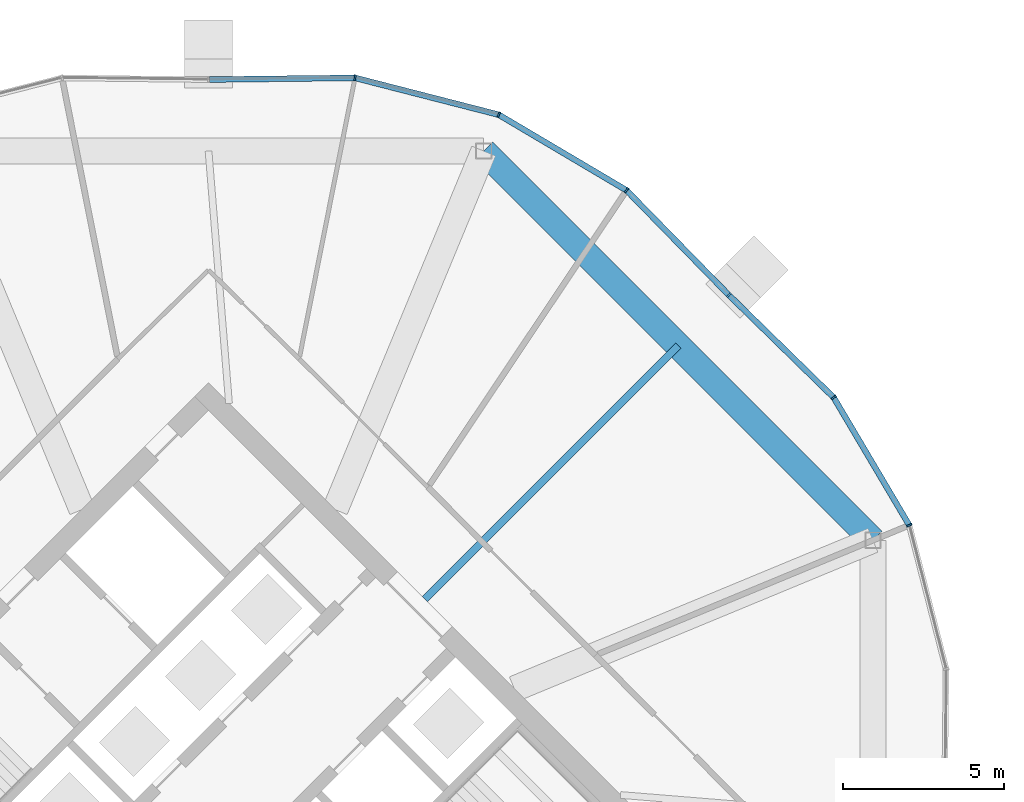
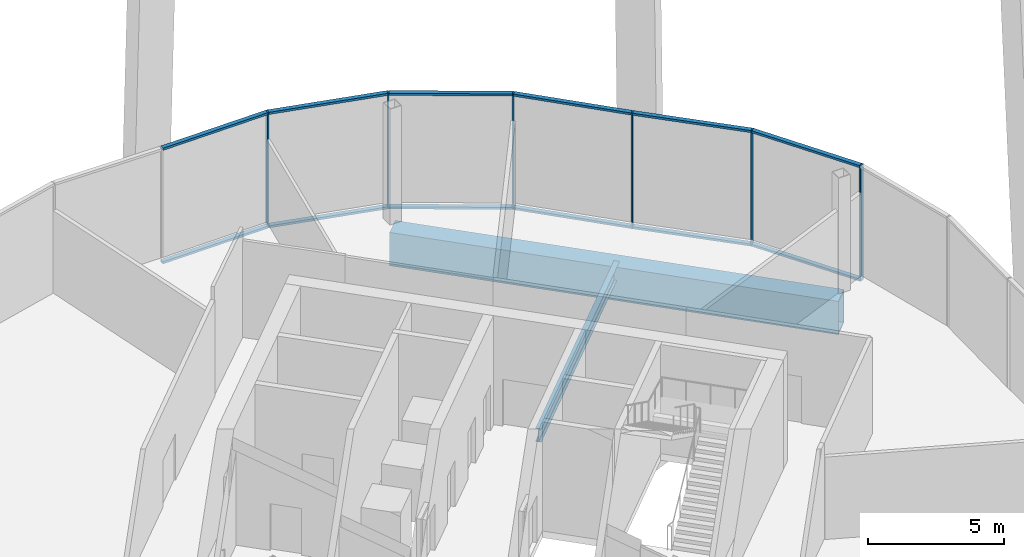
# One storey, part 16 of 28: 18 members, 2 beams, 2 elements without a shape of their own.
"""IFC4 building model written with IfcOpenShell, lengths in metres."""

from ifc_helpers import new_model, si_unit, direction, frame, origin, origin_2d, place, context, subcontext, project, spatial, rectangle, hollow_rectangle, i_section, extrude, material, material_profile, profile_set, type_object, element, aggregate, save


model = new_model("IFC4")

# Units and contexts
model_context = context("Model", 3, precision=1e-05, world=origin(), true_north=direction((0.0, 1.0)))
body_context = subcontext(model_context, "Body", "Model", "MODEL_VIEW")
ifc_project = project(units=[si_unit("LENGTHUNIT", "METRE"), si_unit("AREAUNIT", "SQUARE_METRE"), si_unit("VOLUMEUNIT", "CUBIC_METRE"), si_unit("PLANEANGLEUNIT", "RADIAN"), si_unit("MASSUNIT", "GRAM", prefix="KILO")], contexts=[model_context])

# Site, building, storey
site_placement = place(None, origin())
site = spatial("IfcSite", under=ifc_project, at=site_placement, CompositionType="ELEMENT")
building_placement = place(site_placement, origin())
building = spatial("IfcBuilding", under=site, at=building_placement, Name="Ogive Gate Towers", CompositionType="ELEMENT")
storey_placement = place(building_placement, frame((0.0, 0.0, 135.60009765625)))
storey = spatial("IfcBuildingStorey", under=building, at=storey_placement, Name="L32", CompositionType="ELEMENT", Elevation=135.60009765625)

# Beams
ifc_material_1 = material(Name="Steel SM460", Category="steel")
ifc_material_profile_1 = material_profile(ifc_material_1, hollow_rectangle(XDim=0.800048828125, YDim=1.5, WallThickness=0.06005859375, at=origin_2d()), Name="BX 1500x800x60")
ifc_profile_set_1 = profile_set([ifc_material_profile_1], Name="Steel SM460")
beam_type_1 = type_object("IfcBeamType", Name="Edge girder BX 1500x800x60", PredefinedType="BEAM", material=ifc_profile_set_1)
beam_1_placement = place(storey_placement, frame((56.639404296875, 8.549072265625, -1.050048828125), z_axis=(-0.707106781187, 0.707106781187, 0.0), x_axis=(-0.707106781187, -0.707106781187, 0.0)))
element("IfcBeam", 1, at=beam_1_placement, inside=storey, type_object=beam_type_1, Name="T2/L32/SBM021", PredefinedType="BEAM", context=body_context, shape_type="SweptSolid", body=[
    extrude(hollow_rectangle(XDim=0.800048828125, YDim=1.5, WallThickness=0.06005859375, at=origin_2d()), origin(), (0.0, 0.0, 1.0), 17.098388671875),
])
ifc_material_2 = material(Name="Steel SM355", Category="steel")
ifc_material_profile_2 = material_profile(ifc_material_2, i_section(OverallWidth=0.219970703125, OverallDepth=0.60009765625, WebThickness=0.011962890625, FlangeThickness=0.01904296875, FilletRadius=0.02392578125, at=origin_2d()), Name="IPE 600")
ifc_profile_set_2 = profile_set([ifc_material_profile_2], Name="Steel SM355")
beam_type_2 = type_object("IfcBeamType", Name="Radial floor beam IPE 600", PredefinedType="BEAM", material=ifc_profile_set_2)
beam_2_placement = place(storey_placement, frame((42.717529296875, 6.717529296875, -0.60009765625), z_axis=(0.707106781187, 0.707106781187, 0.0), x_axis=(-0.707106781187, 0.707106781187, 0.0)))
element("IfcBeam", 2, at=beam_2_placement, inside=storey, type_object=beam_type_2, Name="T2/L32/SBM010", PredefinedType="BEAM", context=body_context, shape_type="SweptSolid", body=[
    extrude(i_section(OverallWidth=0.219970703125, OverallDepth=0.60009765625, WebThickness=0.011962890625, FlangeThickness=0.01904296875, FilletRadius=0.02392578125, at=origin_2d()), origin(), (0.0, 0.0, 1.0), 11.139404296875),
])

# Curtain wall, members
ifc_material_3 = material(Name="Pale metal aluminium", Category="aluminium")
curtain_wall_type = type_object("IfcCurtainWallType", Name="Tower unitised wall, high zone", PredefinedType="NOTDEFINED", material=ifc_material_3)
curtain_wall_1_placement = place(storey_placement, origin())
curtain_wall_1 = element("IfcCurtainWall", 3, at=curtain_wall_1_placement, inside=storey, type_object=curtain_wall_type, Name="CW2 T2 ECW01", PredefinedType="NOTDEFINED")
ifc_material_profile_3 = material_profile(ifc_material_3, rectangle(XDim=0.179931640625, YDim=0.06005859375, at=origin_2d()), Name="60 x 180 aluminium box")
ifc_profile_set_3 = profile_set([ifc_material_profile_3], Name="Pale metal aluminium")
member_type_1 = type_object("IfcMemberType", Name="Tower unitised wall, high zone mullion 60 x 180", PredefinedType="MULLION", material=ifc_profile_set_3)
member_1_placement = place(storey_placement, frame((57.767578125, 9.016357421875, -0.300048828125), z_axis=(0.0, 0.0, 1.0), x_axis=(0.923879532511, 0.382683432365, 0.0)))
member_1 = element("IfcMember", 4, at=member_1_placement, type_object=member_type_1, Name="CW2 mullion", PredefinedType="MULLION", context=body_context, shape_type="SweptSolid", body=[
    extrude(rectangle(XDim=0.179931640625, YDim=0.06005859375, at=origin_2d()), origin(), (0.0, 0.0, 1.0), 5.199951171875),
])
member_2_placement = place(storey_placement, frame((55.419677734375, 12.984130859375, -0.300048828125), z_axis=(0.0, 0.0, 1.0), x_axis=(0.78650405792, 0.617585109014, 0.0)))
member_2 = element("IfcMember", 5, at=member_2_placement, type_object=member_type_1, Name="CW2 mullion", PredefinedType="MULLION", context=body_context, shape_type="SweptSolid", body=[
    extrude(rectangle(XDim=0.179931640625, YDim=0.06005859375, at=origin_2d()), origin(), (0.0, 0.0, 1.0), 5.199951171875),
])
member_3_placement = place(storey_placement, frame((52.16455078125, 16.164306640625, -0.300048828125), z_axis=(0.0, 0.0, 1.0), x_axis=(0.698814894711, 0.715302553421, 0.0)))
member_3 = element("IfcMember", 6, at=member_3_placement, type_object=member_type_1, Name="CW2 mullion", PredefinedType="MULLION", context=body_context, shape_type="SweptSolid", body=[
    extrude(rectangle(XDim=0.179931640625, YDim=0.06005859375, at=origin_2d()), origin(), (0.0, 0.0, 1.0), 5.199951171875),
])

curtain_wall_2_placement = place(storey_placement, origin())
curtain_wall_2 = element("IfcCurtainWall", 7, at=curtain_wall_2_placement, inside=storey, type_object=curtain_wall_type, Name="CW2 T2 ECW02", PredefinedType="NOTDEFINED")
member_4_placement = place(storey_placement, frame((48.984130859375, 19.419677734375, -0.300048828125), z_axis=(0.0, 0.0, 1.0), x_axis=(0.617585109014, 0.78650405792, 0.0)))
member_4 = element("IfcMember", 8, at=member_4_placement, type_object=member_type_1, Name="CW2 mullion", PredefinedType="MULLION", context=body_context, shape_type="SweptSolid", body=[
    extrude(rectangle(XDim=0.179931640625, YDim=0.06005859375, at=origin_2d()), origin(), (0.0, 0.0, 1.0), 5.199951171875),
])
member_5_placement = place(storey_placement, frame((45.016357421875, 21.767578125, -0.300048828125), z_axis=(0.0, 0.0, 1.0), x_axis=(0.382683432365, 0.923879532511, 0.0)))
member_5 = element("IfcMember", 9, at=member_5_placement, type_object=member_type_1, Name="CW2 mullion", PredefinedType="MULLION", context=body_context, shape_type="SweptSolid", body=[
    extrude(rectangle(XDim=0.179931640625, YDim=0.06005859375, at=origin_2d()), origin(), (0.0, 0.0, 1.0), 5.199951171875),
])
member_6_placement = place(storey_placement, frame((40.550537109375, 22.9130859375, -0.300048828125), z_axis=(0.0, 0.0, 1.0), x_axis=(0.119443734243, 0.992840971329, 0.0)))
member_6 = element("IfcMember", 10, at=member_6_placement, type_object=member_type_1, Name="CW2 mullion", PredefinedType="MULLION", context=body_context, shape_type="SweptSolid", body=[
    extrude(rectangle(XDim=0.179931640625, YDim=0.06005859375, at=origin_2d()), origin(), (0.0, 0.0, 1.0), 5.199951171875),
])

# Member
ifc_material_profile_4 = material_profile(ifc_material_3, rectangle(XDim=0.179931640625, YDim=0.10009765625, at=origin_2d()), Name="100 x 180 aluminium box")
ifc_profile_set_4 = profile_set([ifc_material_profile_4], Name="Pale metal aluminium")
member_type_2 = type_object("IfcMemberType", Name="Tower unitised wall, high zone transom 100 x 180", PredefinedType="USERDEFINED", material=ifc_profile_set_4)
member_7_placement = place(storey_placement, frame((57.7529296875, 9.041015625, 4.849853515625), z_axis=(-0.509242279072, 0.860623205128, 0.0), x_axis=(-0.860623205128, -0.509242279072, 0.0)))
member_7 = element("IfcMember", 11, at=member_7_placement, type_object=member_type_2, Name="CW2 transom", ObjectType="TRANSOM", PredefinedType="USERDEFINED", context=body_context, shape_type="SweptSolid", body=[
    extrude(rectangle(XDim=0.179931640625, YDim=0.10009765625, at=origin_2d()), origin(), (0.0, 0.0, 1.0), 4.552978515625),
])

member_8_placement = place(storey_placement, frame((57.7529296875, 9.041015625, -0.25), z_axis=(-0.509242279072, 0.860623205128, 0.0), x_axis=(-0.860623205128, -0.509242279072, 0.0)))
member_8 = element("IfcMember", 12, at=member_8_placement, type_object=member_type_2, Name="CW2 transom", ObjectType="TRANSOM", PredefinedType="USERDEFINED", context=body_context, shape_type="SweptSolid", body=[
    extrude(rectangle(XDim=0.179931640625, YDim=0.10009765625, at=origin_2d()), origin(), (0.0, 0.0, 1.0), 4.552978515625),
])

member_9_placement = place(storey_placement, frame((55.399169921875, 13.004150390625, 4.849853515625), z_axis=(-0.715292777152, 0.698824901498, 0.0), x_axis=(-0.698824901498, -0.715292777152, 0.0)))
member_9 = element("IfcMember", 13, at=member_9_placement, type_object=member_type_2, Name="CW2 transom", ObjectType="TRANSOM", PredefinedType="USERDEFINED", context=body_context, shape_type="SweptSolid", body=[
    extrude(rectangle(XDim=0.179931640625, YDim=0.10009765625, at=origin_2d()), origin(), (0.0, 0.0, 1.0), 4.491943359375),
])

member_10_placement = place(storey_placement, frame((55.399169921875, 13.004150390625, -0.25), z_axis=(-0.715292777152, 0.698824901498, 0.0), x_axis=(-0.698824901498, -0.715292777152, 0.0)))
member_10 = element("IfcMember", 14, at=member_10_placement, type_object=member_type_2, Name="CW2 transom", ObjectType="TRANSOM", PredefinedType="USERDEFINED", context=body_context, shape_type="SweptSolid", body=[
    extrude(rectangle(XDim=0.179931640625, YDim=0.10009765625, at=origin_2d()), origin(), (0.0, 0.0, 1.0), 4.491943359375),
])

aggregate(curtain_wall_1, [member_1, member_2, member_7, member_8, member_3, member_9, member_10])

member_11_placement = place(storey_placement, frame((52.143310546875, 16.18603515625, 4.849853515625), z_axis=(-0.698824901498, 0.715292777152, 0.0), x_axis=(-0.715292777152, -0.698824901498, 0.0)))
member_11 = element("IfcMember", 15, at=member_11_placement, type_object=member_type_2, Name="CW2 transom", ObjectType="TRANSOM", PredefinedType="USERDEFINED", context=body_context, shape_type="SweptSolid", body=[
    extrude(rectangle(XDim=0.179931640625, YDim=0.10009765625, at=origin_2d()), origin(), (0.0, 0.0, 1.0), 4.491943359375),
])

member_12_placement = place(storey_placement, frame((52.143310546875, 16.18603515625, -0.25), z_axis=(-0.698824901498, 0.715292777152, 0.0), x_axis=(-0.715292777152, -0.698824901498, 0.0)))
member_12 = element("IfcMember", 16, at=member_12_placement, type_object=member_type_2, Name="CW2 transom", ObjectType="TRANSOM", PredefinedType="USERDEFINED", context=body_context, shape_type="SweptSolid", body=[
    extrude(rectangle(XDim=0.179931640625, YDim=0.10009765625, at=origin_2d()), origin(), (0.0, 0.0, 1.0), 4.491943359375),
])

member_13_placement = place(storey_placement, frame((48.95947265625, 19.434326171875, 4.849853515625), z_axis=(-0.860623205128, 0.509242279072, 0.0), x_axis=(-0.509242279072, -0.860623205128, 0.0)))
member_13 = element("IfcMember", 17, at=member_13_placement, type_object=member_type_2, Name="CW2 transom", ObjectType="TRANSOM", PredefinedType="USERDEFINED", context=body_context, shape_type="SweptSolid", body=[
    extrude(rectangle(XDim=0.179931640625, YDim=0.10009765625, at=origin_2d()), origin(), (0.0, 0.0, 1.0), 4.552978515625),
])

member_14_placement = place(storey_placement, frame((48.95947265625, 19.434326171875, -0.25), z_axis=(-0.860623205128, 0.509242279072, 0.0), x_axis=(-0.509242279072, -0.860623205128, 0.0)))
member_14 = element("IfcMember", 18, at=member_14_placement, type_object=member_type_2, Name="CW2 transom", ObjectType="TRANSOM", PredefinedType="USERDEFINED", context=body_context, shape_type="SweptSolid", body=[
    extrude(rectangle(XDim=0.179931640625, YDim=0.10009765625, at=origin_2d()), origin(), (0.0, 0.0, 1.0), 4.552978515625),
])

member_15_placement = place(storey_placement, frame((44.98876953125, 21.774658203125, 4.849853515625), z_axis=(-0.96863872171, 0.248473392549, 0.0), x_axis=(-0.248473392549, -0.96863872171, 0.0)))
member_15 = element("IfcMember", 19, at=member_15_placement, type_object=member_type_2, Name="CW2 transom", ObjectType="TRANSOM", PredefinedType="USERDEFINED", context=body_context, shape_type="SweptSolid", body=[
    extrude(rectangle(XDim=0.179931640625, YDim=0.10009765625, at=origin_2d()), origin(), (0.0, 0.0, 1.0), 4.55322265625),
])

member_16_placement = place(storey_placement, frame((44.98876953125, 21.774658203125, -0.25), z_axis=(-0.96863872171, 0.248473392549, 0.0), x_axis=(-0.248473392549, -0.96863872171, 0.0)))
member_16 = element("IfcMember", 20, at=member_16_placement, type_object=member_type_2, Name="CW2 transom", ObjectType="TRANSOM", PredefinedType="USERDEFINED", context=body_context, shape_type="SweptSolid", body=[
    extrude(rectangle(XDim=0.179931640625, YDim=0.10009765625, at=origin_2d()), origin(), (0.0, 0.0, 1.0), 4.55322265625),
])

member_17_placement = place(storey_placement, frame((40.52197265625, 22.91259765625, 4.849853515625), z_axis=(-0.999932366003, -0.01163028025, 0.0), x_axis=(0.01163028025, -0.999932366003, 0.0)))
member_17 = element("IfcMember", 21, at=member_17_placement, type_object=member_type_2, Name="CW2 transom", ObjectType="TRANSOM", PredefinedType="USERDEFINED", context=body_context, shape_type="SweptSolid", body=[
    extrude(rectangle(XDim=0.179931640625, YDim=0.10009765625, at=origin_2d()), origin(), (0.0, 0.0, 1.0), 4.4921875),
])

member_18_placement = place(storey_placement, frame((40.52197265625, 22.91259765625, -0.25), z_axis=(-0.999932366003, -0.01163028025, 0.0), x_axis=(0.01163028025, -0.999932366003, 0.0)))
member_18 = element("IfcMember", 22, at=member_18_placement, type_object=member_type_2, Name="CW2 transom", ObjectType="TRANSOM", PredefinedType="USERDEFINED", context=body_context, shape_type="SweptSolid", body=[
    extrude(rectangle(XDim=0.179931640625, YDim=0.10009765625, at=origin_2d()), origin(), (0.0, 0.0, 1.0), 4.4921875),
])

aggregate(curtain_wall_2, [member_4, member_11, member_12, member_5, member_13, member_14, member_6, member_15, member_16, member_17, member_18])

save(model, "model.ifc")
